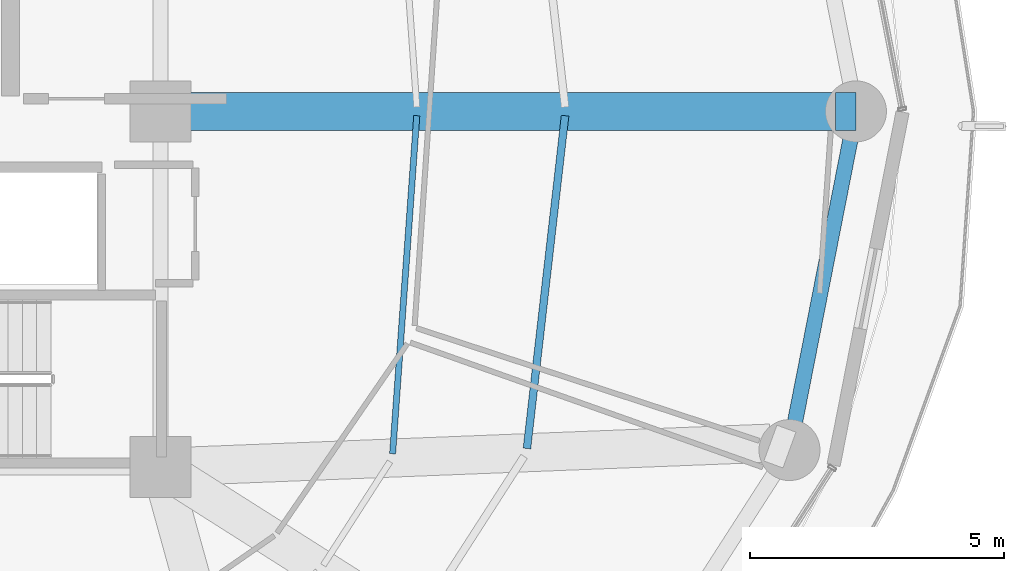
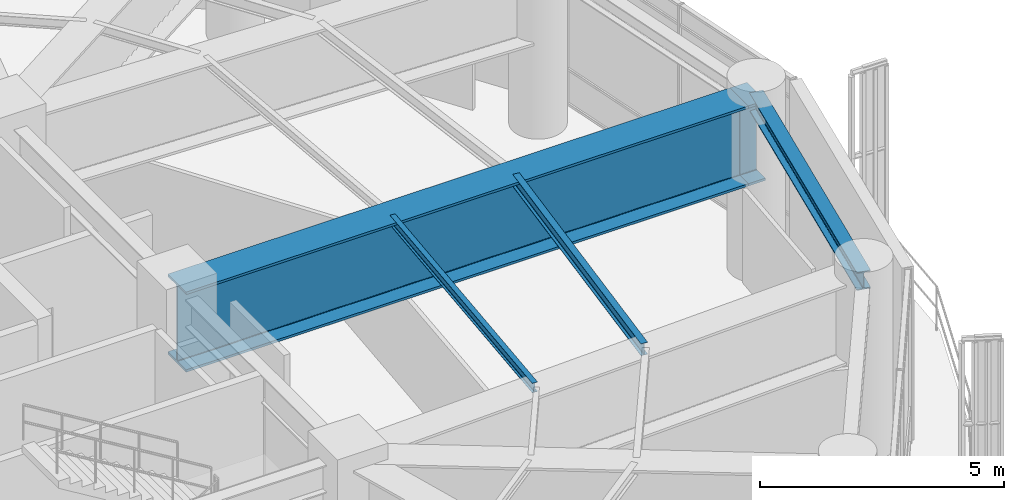
# One storey, part 12 of 28: 5 beams.
"""IFC4 building model written with IfcOpenShell, lengths in metres."""

from ifc_helpers import new_model, si_unit, direction, frame, origin, origin_2d, place, context, subcontext, project, spatial, i_section, extrude, material, material_profile, profile_set, type_object, element, save


model = new_model("IFC4")

# Units and contexts
model_context = context("Model", 3, precision=1e-05, world=origin(), true_north=direction((0.0, 1.0)))
body_context = subcontext(model_context, "Body", "Model", "MODEL_VIEW")
ifc_project = project(units=[si_unit("LENGTHUNIT", "METRE"), si_unit("AREAUNIT", "SQUARE_METRE"), si_unit("VOLUMEUNIT", "CUBIC_METRE"), si_unit("PLANEANGLEUNIT", "RADIAN"), si_unit("MASSUNIT", "GRAM", prefix="KILO")], contexts=[model_context])

# Site, building, storey
site_placement = place(None, origin())
site = spatial("IfcSite", under=ifc_project, at=site_placement, CompositionType="ELEMENT")
building_placement = place(site_placement, origin())
building = spatial("IfcBuilding", under=site, at=building_placement, Name="Kelanora Arch Commons", CompositionType="ELEMENT")
storey_placement = place(building_placement, frame((0.0, 0.0, 184.35009765625)))
storey = spatial("IfcBuildingStorey", under=building, at=storey_placement, Name="L47", CompositionType="ELEMENT", Elevation=184.35009765625)

# Beams
ifc_material = material(Name="Steel S355", Category="steel")
ifc_material_profile_1 = material_profile(ifc_material, i_section(OverallWidth=0.14990234375, OverallDepth=0.300048828125, WebThickness=0.007080078125, FlangeThickness=0.0107421875, FilletRadius=0.014892578125, at=origin_2d()), Name="IPE300")
ifc_profile_set_1 = profile_set([ifc_material_profile_1], Name="Steel S355")
beam_type_1 = type_object("IfcBeamType", Name="BM-JST-01", PredefinedType="JOIST", material=ifc_profile_set_1)
beam_1_placement = place(storey_placement, frame((89.207763671875, 51.368896484375, 4.2099609375), z_axis=(0.113891408177, 0.993493204377, 0.0), x_axis=(-0.993493204377, 0.113891408177, 0.0)))
element("IfcBeam", 1, at=beam_1_placement, inside=storey, type_object=beam_type_1, Name="Secondary Chord Joist BJB-34 L47", PredefinedType="JOIST", context=body_context, shape_type="SweptSolid", body=[
    extrude(i_section(OverallWidth=0.14990234375, OverallDepth=0.300048828125, WebThickness=0.007080078125, FlangeThickness=0.0107421875, FilletRadius=0.014892578125, at=origin_2d()), origin(), (0.0, 0.0, 1.0), 6.589599609375),
])
ifc_material_profile_2 = material_profile(ifc_material, i_section(OverallWidth=0.1201171875, OverallDepth=0.239990234375, WebThickness=0.006103515625, FlangeThickness=0.009765625, FilletRadius=0.014892578125, at=origin_2d()), Name="IPE240")
ifc_profile_set_2 = profile_set([ifc_material_profile_2], Name="Steel S355")
beam_type_2 = type_object("IfcBeamType", Name="BM-JST-02", PredefinedType="JOIST", material=ifc_profile_set_2)
beam_2_placement = place(storey_placement, frame((86.564697265625, 51.264892578125, 4.239990234375), z_axis=(0.07133032136, 0.997452748382, 0.0), x_axis=(-0.997452748382, 0.07133032136, 0.0)))
element("IfcBeam", 2, at=beam_2_placement, inside=storey, type_object=beam_type_2, Name="Secondary Chord Joist BJA-34 L47", PredefinedType="JOIST", context=body_context, shape_type="SweptSolid", body=[
    extrude(i_section(OverallWidth=0.1201171875, OverallDepth=0.239990234375, WebThickness=0.006103515625, FlangeThickness=0.009765625, FilletRadius=0.014892578125, at=origin_2d()), origin(), (0.0, 0.0, 1.0), 6.66748046875),
])
ifc_material_profile_3 = material_profile(ifc_material, i_section(OverallWidth=0.300048828125, OverallDepth=0.449951171875, WebThickness=0.013916015625, FlangeThickness=0.02587890625, FilletRadius=0.027099609375, at=origin_2d()), Name="HEB450")
ifc_profile_set_3 = profile_set([ifc_material_profile_3], Name="Steel S355")
beam_type_3 = type_object("IfcBeamType", Name="BM-SPN-Z3", PredefinedType="SPANDREL", material=ifc_profile_set_3)
beam_3_placement = place(storey_placement, frame((94.37255859375, 51.33740234375, 4.135009765625), z_axis=(0.192553643556, 0.981286448675, 0.0), x_axis=(-0.981286448675, 0.192553643556, 0.0)))
element("IfcBeam", 3, at=beam_3_placement, inside=storey, type_object=beam_type_3, Name="Perimeter Spandrel Beam BS-34 L47", PredefinedType="SPANDREL", context=body_context, shape_type="SweptSolid", body=[
    extrude(i_section(OverallWidth=0.300048828125, OverallDepth=0.449951171875, WebThickness=0.013916015625, FlangeThickness=0.02587890625, FilletRadius=0.027099609375, at=origin_2d()), origin(), (0.0, 0.0, 1.0), 6.78955078125),
])
ifc_material_profile_4 = material_profile(ifc_material, i_section(OverallWidth=0.75, OverallDepth=2.0, WebThickness=0.034912109375, FlangeThickness=0.06005859375, FilletRadius=0.028076171875, at=origin_2d()), Name="PG2000x750")
ifc_profile_set_4 = profile_set([ifc_material_profile_4], Name="Steel S355")
beam_type_4 = type_object("IfcBeamType", Name="BM-XFER-SET", PredefinedType="USERDEFINED", material=ifc_profile_set_4)
beam_4_placement = place(storey_placement, frame((82.0, 58.0, 3.35986328125), z_axis=(1.0, 0.0, 0.0), x_axis=(0.0, 1.0, 0.0)))
element("IfcBeam", 4, at=beam_4_placement, inside=storey, type_object=beam_type_4, Name="Setback Radial Transfer Girder BRI-00 L47", ObjectType="TRANSFER_GIRDER", PredefinedType="USERDEFINED", context=body_context, shape_type="SweptSolid", body=[
    extrude(i_section(OverallWidth=0.75, OverallDepth=2.0, WebThickness=0.034912109375, FlangeThickness=0.06005859375, FilletRadius=0.028076171875, at=origin_2d()), origin(), (0.0, 0.0, 1.0), 13.280029296875),
])
beam_5_placement = place(storey_placement, frame((95.280029296875, 58.0, 3.35986328125), z_axis=(1.0, 0.0, 0.0), x_axis=(0.0, 1.0, 0.0)))
element("IfcBeam", 5, at=beam_5_placement, inside=storey, type_object=beam_type_4, Name="Radial Floor Girder BR-00 L47", ObjectType="TRANSFER_GIRDER", PredefinedType="USERDEFINED", context=body_context, shape_type="SweptSolid", body=[
    extrude(i_section(OverallWidth=0.75, OverallDepth=2.0, WebThickness=0.034912109375, FlangeThickness=0.06005859375, FilletRadius=0.028076171875, at=origin_2d()), origin(), (0.0, 0.0, 1.0), 0.39990234375),
])

save(model, "model.ifc")
